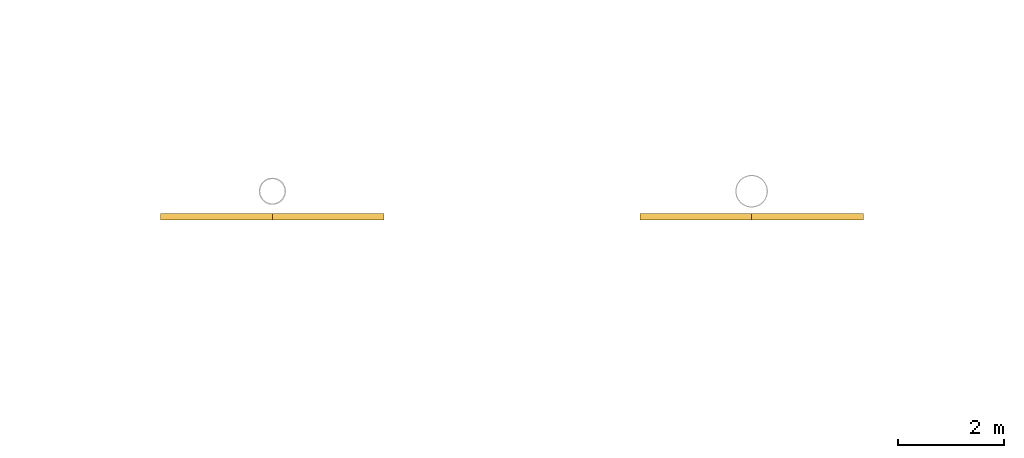
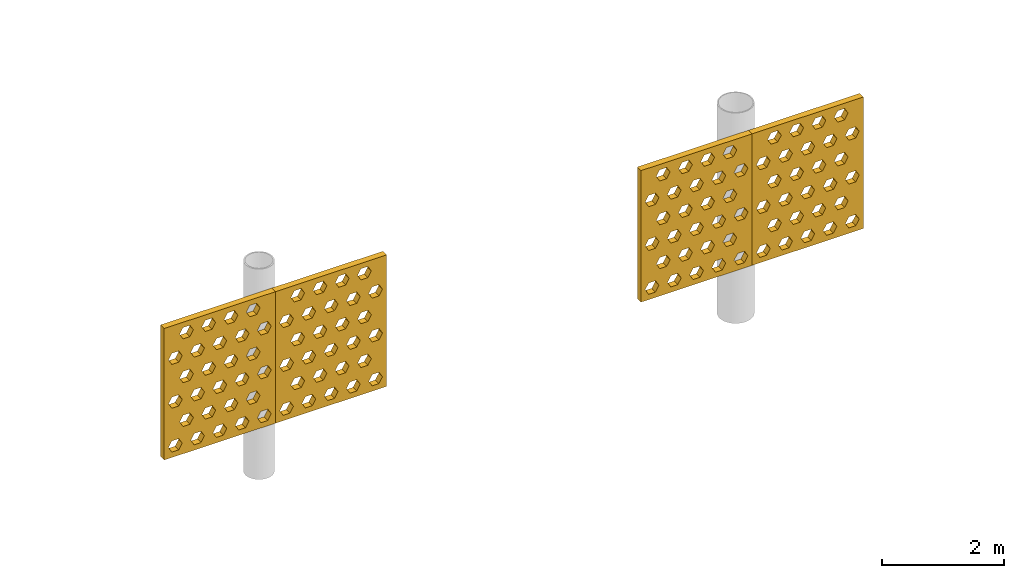
# One storey, part 106 of 123: 4 shading devices.
"""IFC4 building model written with IfcOpenShell, lengths in metres."""

from ifc_helpers import new_model, si_unit, direction, frame, origin, place, context, subcontext, project, spatial, polyline, outline, extrude, material, layer, layer_set, type_object, element, save


model = new_model("IFC4")

# Units and contexts
model_context = context("Model", 3, precision=1e-05, world=origin(), true_north=direction((0.0, 1.0)))
body_context = subcontext(model_context, "Body", "Model", "MODEL_VIEW")
ifc_project = project(units=[si_unit("LENGTHUNIT", "METRE"), si_unit("AREAUNIT", "SQUARE_METRE"), si_unit("VOLUMEUNIT", "CUBIC_METRE"), si_unit("PLANEANGLEUNIT", "RADIAN"), si_unit("MASSUNIT", "GRAM", prefix="KILO")], contexts=[model_context])

# Site, building, storey
site_placement = place(None, origin())
site = spatial("IfcSite", under=ifc_project, at=site_placement, CompositionType="ELEMENT")
building_placement = place(site_placement, origin())
building = spatial("IfcBuilding", under=site, at=building_placement, Name="Baradari Gate Terminus", CompositionType="ELEMENT")
storey_placement = place(building_placement, frame((0.0, 0.0, 7.5)))
storey = spatial("IfcBuildingStorey", under=building, at=storey_placement, Name="L01", CompositionType="ELEMENT", Elevation=7.5)

# Shading devices
ifc_material = material(Name="Concrete C50/60 precast", Category="concrete")
ifc_layer = layer(ifc_material, 0.1201171875)
ifc_layer_set = layer_set([ifc_layer], Name="Concrete C50/60 precast")
shading_device_type = type_object("IfcShadingDeviceType", Name="Jali screen panel JS-2 120", PredefinedType="SHUTTER", material=ifc_layer_set)
shading_device_1_placement = place(storey_placement, frame((168.89990234375, 35.52001953125, 1.27490234375), z_axis=(0.0, 0.0, 1.0), x_axis=(1.0, 0.0, 0.0)))
element("IfcShadingDevice", 1, at=shading_device_1_placement, inside=storey, type_object=shading_device_type, Name="Jali screen panel JS-2 SC01c row 4 panel 1", PredefinedType="SHUTTER", context=body_context, shape_type="SweptSolid", body=[
    extrude(outline(polyline([(0.0, 0.0), (2.10009765625, 0.0), (2.10009765625, 2.625), (0.0, 2.625), (0.0, 0.0)]), holes=[polyline([(0.340087890625, 0.21875), (0.27490234375, 0.106201171875), (0.14501953125, 0.106201171875), (0.080078125, 0.21875), (0.14501953125, 0.33154296875), (0.27490234375, 0.33154296875), (0.340087890625, 0.21875)]), polyline([(0.760009765625, 0.21875), (0.695068359375, 0.106201171875), (0.56494140625, 0.106201171875), (0.5, 0.21875), (0.56494140625, 0.33154296875), (0.695068359375, 0.33154296875), (0.760009765625, 0.21875)]), polyline([(1.179931640625, 0.21875), (1.114990234375, 0.106201171875), (0.985107421875, 0.106201171875), (0.919921875, 0.21875), (0.985107421875, 0.33154296875), (1.114990234375, 0.33154296875), (1.179931640625, 0.21875)]), polyline([(1.60009765625, 0.21875), (1.534912109375, 0.106201171875), (1.405029296875, 0.106201171875), (1.340087890625, 0.21875), (1.405029296875, 0.33154296875), (1.534912109375, 0.33154296875), (1.60009765625, 0.21875)]), polyline([(2.02001953125, 0.21875), (1.955078125, 0.106201171875), (1.824951171875, 0.106201171875), (1.760009765625, 0.21875), (1.824951171875, 0.33154296875), (1.955078125, 0.33154296875), (2.02001953125, 0.21875)]), polyline([(0.550048828125, 0.65625), (0.485107421875, 0.543701171875), (0.35498046875, 0.543701171875), (0.2900390625, 0.65625), (0.35498046875, 0.76904296875), (0.485107421875, 0.76904296875), (0.550048828125, 0.65625)]), polyline([(0.969970703125, 0.65625), (0.905029296875, 0.543701171875), (0.77490234375, 0.543701171875), (0.7099609375, 0.65625), (0.77490234375, 0.76904296875), (0.905029296875, 0.76904296875), (0.969970703125, 0.65625)]), polyline([(1.389892578125, 0.65625), (1.324951171875, 0.543701171875), (1.195068359375, 0.543701171875), (1.1298828125, 0.65625), (1.195068359375, 0.76904296875), (1.324951171875, 0.76904296875), (1.389892578125, 0.65625)]), polyline([(1.81005859375, 0.65625), (1.7451171875, 0.543701171875), (1.614990234375, 0.543701171875), (1.550048828125, 0.65625), (1.614990234375, 0.76904296875), (1.7451171875, 0.76904296875), (1.81005859375, 0.65625)]), polyline([(0.340087890625, 1.09375), (0.27490234375, 0.981201171875), (0.14501953125, 0.981201171875), (0.080078125, 1.09375), (0.14501953125, 1.20654296875), (0.27490234375, 1.20654296875), (0.340087890625, 1.09375)]), polyline([(0.760009765625, 1.09375), (0.695068359375, 0.981201171875), (0.56494140625, 0.981201171875), (0.5, 1.09375), (0.56494140625, 1.20654296875), (0.695068359375, 1.20654296875), (0.760009765625, 1.09375)]), polyline([(1.179931640625, 1.09375), (1.114990234375, 0.981201171875), (0.985107421875, 0.981201171875), (0.919921875, 1.09375), (0.985107421875, 1.20654296875), (1.114990234375, 1.20654296875), (1.179931640625, 1.09375)]), polyline([(1.60009765625, 1.09375), (1.534912109375, 0.981201171875), (1.405029296875, 0.981201171875), (1.340087890625, 1.09375), (1.405029296875, 1.20654296875), (1.534912109375, 1.20654296875), (1.60009765625, 1.09375)]), polyline([(2.02001953125, 1.09375), (1.955078125, 0.981201171875), (1.824951171875, 0.981201171875), (1.760009765625, 1.09375), (1.824951171875, 1.20654296875), (1.955078125, 1.20654296875), (2.02001953125, 1.09375)]), polyline([(0.550048828125, 1.53125), (0.485107421875, 1.418701171875), (0.35498046875, 1.418701171875), (0.2900390625, 1.53125), (0.35498046875, 1.64404296875), (0.485107421875, 1.64404296875), (0.550048828125, 1.53125)]), polyline([(0.969970703125, 1.53125), (0.905029296875, 1.418701171875), (0.77490234375, 1.418701171875), (0.7099609375, 1.53125), (0.77490234375, 1.64404296875), (0.905029296875, 1.64404296875), (0.969970703125, 1.53125)]), polyline([(1.389892578125, 1.53125), (1.324951171875, 1.418701171875), (1.195068359375, 1.418701171875), (1.1298828125, 1.53125), (1.195068359375, 1.64404296875), (1.324951171875, 1.64404296875), (1.389892578125, 1.53125)]), polyline([(1.81005859375, 1.53125), (1.7451171875, 1.418701171875), (1.614990234375, 1.418701171875), (1.550048828125, 1.53125), (1.614990234375, 1.64404296875), (1.7451171875, 1.64404296875), (1.81005859375, 1.53125)]), polyline([(0.340087890625, 1.96875), (0.27490234375, 1.856201171875), (0.14501953125, 1.856201171875), (0.080078125, 1.96875), (0.14501953125, 2.08154296875), (0.27490234375, 2.08154296875), (0.340087890625, 1.96875)]), polyline([(0.760009765625, 1.96875), (0.695068359375, 1.856201171875), (0.56494140625, 1.856201171875), (0.5, 1.96875), (0.56494140625, 2.08154296875), (0.695068359375, 2.08154296875), (0.760009765625, 1.96875)]), polyline([(1.179931640625, 1.96875), (1.114990234375, 1.856201171875), (0.985107421875, 1.856201171875), (0.919921875, 1.96875), (0.985107421875, 2.08154296875), (1.114990234375, 2.08154296875), (1.179931640625, 1.96875)]), polyline([(1.60009765625, 1.96875), (1.534912109375, 1.856201171875), (1.405029296875, 1.856201171875), (1.340087890625, 1.96875), (1.405029296875, 2.08154296875), (1.534912109375, 2.08154296875), (1.60009765625, 1.96875)]), polyline([(2.02001953125, 1.96875), (1.955078125, 1.856201171875), (1.824951171875, 1.856201171875), (1.760009765625, 1.96875), (1.824951171875, 2.08154296875), (1.955078125, 2.08154296875), (2.02001953125, 1.96875)]), polyline([(0.550048828125, 2.40625), (0.485107421875, 2.293701171875), (0.35498046875, 2.293701171875), (0.2900390625, 2.40625), (0.35498046875, 2.51904296875), (0.485107421875, 2.51904296875), (0.550048828125, 2.40625)]), polyline([(0.969970703125, 2.40625), (0.905029296875, 2.293701171875), (0.77490234375, 2.293701171875), (0.7099609375, 2.40625), (0.77490234375, 2.51904296875), (0.905029296875, 2.51904296875), (0.969970703125, 2.40625)]), polyline([(1.389892578125, 2.40625), (1.324951171875, 2.293701171875), (1.195068359375, 2.293701171875), (1.1298828125, 2.40625), (1.195068359375, 2.51904296875), (1.324951171875, 2.51904296875), (1.389892578125, 2.40625)]), polyline([(1.81005859375, 2.40625), (1.7451171875, 2.293701171875), (1.614990234375, 2.293701171875), (1.550048828125, 2.40625), (1.614990234375, 2.51904296875), (1.7451171875, 2.51904296875), (1.81005859375, 2.40625)])]), frame((0.0, 0.06005859375, 0.0), z_axis=(0.0, -1.0, 0.0), x_axis=(1.0, 0.0, 0.0)), (0.0, 0.0, 1.0), 0.1201171875),
])
shading_device_2_placement = place(storey_placement, frame((171.0, 35.52001953125, 1.27490234375), z_axis=(0.0, 0.0, 1.0), x_axis=(1.0, 0.0, 0.0)))
element("IfcShadingDevice", 2, at=shading_device_2_placement, inside=storey, type_object=shading_device_type, Name="Jali screen panel JS-2 SC02a row 4 panel 1", PredefinedType="SHUTTER", context=body_context, shape_type="SweptSolid", body=[
    extrude(outline(polyline([(0.0, 0.0), (2.10009765625, 0.0), (2.10009765625, 2.625), (0.0, 2.625), (0.0, 0.0)]), holes=[polyline([(0.340087890625, 0.21875), (0.27490234375, 0.106201171875), (0.14501953125, 0.106201171875), (0.080078125, 0.21875), (0.14501953125, 0.33154296875), (0.27490234375, 0.33154296875), (0.340087890625, 0.21875)]), polyline([(0.760009765625, 0.21875), (0.695068359375, 0.106201171875), (0.56494140625, 0.106201171875), (0.5, 0.21875), (0.56494140625, 0.33154296875), (0.695068359375, 0.33154296875), (0.760009765625, 0.21875)]), polyline([(1.179931640625, 0.21875), (1.114990234375, 0.106201171875), (0.985107421875, 0.106201171875), (0.919921875, 0.21875), (0.985107421875, 0.33154296875), (1.114990234375, 0.33154296875), (1.179931640625, 0.21875)]), polyline([(1.60009765625, 0.21875), (1.534912109375, 0.106201171875), (1.405029296875, 0.106201171875), (1.340087890625, 0.21875), (1.405029296875, 0.33154296875), (1.534912109375, 0.33154296875), (1.60009765625, 0.21875)]), polyline([(2.02001953125, 0.21875), (1.955078125, 0.106201171875), (1.824951171875, 0.106201171875), (1.760009765625, 0.21875), (1.824951171875, 0.33154296875), (1.955078125, 0.33154296875), (2.02001953125, 0.21875)]), polyline([(0.550048828125, 0.65625), (0.485107421875, 0.543701171875), (0.35498046875, 0.543701171875), (0.2900390625, 0.65625), (0.35498046875, 0.76904296875), (0.485107421875, 0.76904296875), (0.550048828125, 0.65625)]), polyline([(0.969970703125, 0.65625), (0.905029296875, 0.543701171875), (0.77490234375, 0.543701171875), (0.7099609375, 0.65625), (0.77490234375, 0.76904296875), (0.905029296875, 0.76904296875), (0.969970703125, 0.65625)]), polyline([(1.389892578125, 0.65625), (1.324951171875, 0.543701171875), (1.195068359375, 0.543701171875), (1.1298828125, 0.65625), (1.195068359375, 0.76904296875), (1.324951171875, 0.76904296875), (1.389892578125, 0.65625)]), polyline([(1.81005859375, 0.65625), (1.7451171875, 0.543701171875), (1.614990234375, 0.543701171875), (1.550048828125, 0.65625), (1.614990234375, 0.76904296875), (1.7451171875, 0.76904296875), (1.81005859375, 0.65625)]), polyline([(0.340087890625, 1.09375), (0.27490234375, 0.981201171875), (0.14501953125, 0.981201171875), (0.080078125, 1.09375), (0.14501953125, 1.20654296875), (0.27490234375, 1.20654296875), (0.340087890625, 1.09375)]), polyline([(0.760009765625, 1.09375), (0.695068359375, 0.981201171875), (0.56494140625, 0.981201171875), (0.5, 1.09375), (0.56494140625, 1.20654296875), (0.695068359375, 1.20654296875), (0.760009765625, 1.09375)]), polyline([(1.179931640625, 1.09375), (1.114990234375, 0.981201171875), (0.985107421875, 0.981201171875), (0.919921875, 1.09375), (0.985107421875, 1.20654296875), (1.114990234375, 1.20654296875), (1.179931640625, 1.09375)]), polyline([(1.60009765625, 1.09375), (1.534912109375, 0.981201171875), (1.405029296875, 0.981201171875), (1.340087890625, 1.09375), (1.405029296875, 1.20654296875), (1.534912109375, 1.20654296875), (1.60009765625, 1.09375)]), polyline([(2.02001953125, 1.09375), (1.955078125, 0.981201171875), (1.824951171875, 0.981201171875), (1.760009765625, 1.09375), (1.824951171875, 1.20654296875), (1.955078125, 1.20654296875), (2.02001953125, 1.09375)]), polyline([(0.550048828125, 1.53125), (0.485107421875, 1.418701171875), (0.35498046875, 1.418701171875), (0.2900390625, 1.53125), (0.35498046875, 1.64404296875), (0.485107421875, 1.64404296875), (0.550048828125, 1.53125)]), polyline([(0.969970703125, 1.53125), (0.905029296875, 1.418701171875), (0.77490234375, 1.418701171875), (0.7099609375, 1.53125), (0.77490234375, 1.64404296875), (0.905029296875, 1.64404296875), (0.969970703125, 1.53125)]), polyline([(1.389892578125, 1.53125), (1.324951171875, 1.418701171875), (1.195068359375, 1.418701171875), (1.1298828125, 1.53125), (1.195068359375, 1.64404296875), (1.324951171875, 1.64404296875), (1.389892578125, 1.53125)]), polyline([(1.81005859375, 1.53125), (1.7451171875, 1.418701171875), (1.614990234375, 1.418701171875), (1.550048828125, 1.53125), (1.614990234375, 1.64404296875), (1.7451171875, 1.64404296875), (1.81005859375, 1.53125)]), polyline([(0.340087890625, 1.96875), (0.27490234375, 1.856201171875), (0.14501953125, 1.856201171875), (0.080078125, 1.96875), (0.14501953125, 2.08154296875), (0.27490234375, 2.08154296875), (0.340087890625, 1.96875)]), polyline([(0.760009765625, 1.96875), (0.695068359375, 1.856201171875), (0.56494140625, 1.856201171875), (0.5, 1.96875), (0.56494140625, 2.08154296875), (0.695068359375, 2.08154296875), (0.760009765625, 1.96875)]), polyline([(1.179931640625, 1.96875), (1.114990234375, 1.856201171875), (0.985107421875, 1.856201171875), (0.919921875, 1.96875), (0.985107421875, 2.08154296875), (1.114990234375, 2.08154296875), (1.179931640625, 1.96875)]), polyline([(1.60009765625, 1.96875), (1.534912109375, 1.856201171875), (1.405029296875, 1.856201171875), (1.340087890625, 1.96875), (1.405029296875, 2.08154296875), (1.534912109375, 2.08154296875), (1.60009765625, 1.96875)]), polyline([(2.02001953125, 1.96875), (1.955078125, 1.856201171875), (1.824951171875, 1.856201171875), (1.760009765625, 1.96875), (1.824951171875, 2.08154296875), (1.955078125, 2.08154296875), (2.02001953125, 1.96875)]), polyline([(0.550048828125, 2.40625), (0.485107421875, 2.293701171875), (0.35498046875, 2.293701171875), (0.2900390625, 2.40625), (0.35498046875, 2.51904296875), (0.485107421875, 2.51904296875), (0.550048828125, 2.40625)]), polyline([(0.969970703125, 2.40625), (0.905029296875, 2.293701171875), (0.77490234375, 2.293701171875), (0.7099609375, 2.40625), (0.77490234375, 2.51904296875), (0.905029296875, 2.51904296875), (0.969970703125, 2.40625)]), polyline([(1.389892578125, 2.40625), (1.324951171875, 2.293701171875), (1.195068359375, 2.293701171875), (1.1298828125, 2.40625), (1.195068359375, 2.51904296875), (1.324951171875, 2.51904296875), (1.389892578125, 2.40625)]), polyline([(1.81005859375, 2.40625), (1.7451171875, 2.293701171875), (1.614990234375, 2.293701171875), (1.550048828125, 2.40625), (1.614990234375, 2.51904296875), (1.7451171875, 2.51904296875), (1.81005859375, 2.40625)])]), frame((0.0, 0.06005859375, 0.0), z_axis=(0.0, -1.0, 0.0), x_axis=(1.0, 0.0, 0.0)), (0.0, 0.0, 1.0), 0.1201171875),
])
shading_device_3_placement = place(storey_placement, frame((177.89990234375, 35.52001953125, 1.27490234375), z_axis=(0.0, 0.0, 1.0), x_axis=(1.0, 0.0, 0.0)))
element("IfcShadingDevice", 3, at=shading_device_3_placement, inside=storey, type_object=shading_device_type, Name="Jali screen panel JS-2 SC02c row 4 panel 1", PredefinedType="SHUTTER", context=body_context, shape_type="SweptSolid", body=[
    extrude(outline(polyline([(0.0, 0.0), (2.10009765625, 0.0), (2.10009765625, 2.625), (0.0, 2.625), (0.0, 0.0)]), holes=[polyline([(0.340087890625, 0.21875), (0.27490234375, 0.106201171875), (0.14501953125, 0.106201171875), (0.080078125, 0.21875), (0.14501953125, 0.33154296875), (0.27490234375, 0.33154296875), (0.340087890625, 0.21875)]), polyline([(0.760009765625, 0.21875), (0.695068359375, 0.106201171875), (0.56494140625, 0.106201171875), (0.5, 0.21875), (0.56494140625, 0.33154296875), (0.695068359375, 0.33154296875), (0.760009765625, 0.21875)]), polyline([(1.179931640625, 0.21875), (1.114990234375, 0.106201171875), (0.985107421875, 0.106201171875), (0.919921875, 0.21875), (0.985107421875, 0.33154296875), (1.114990234375, 0.33154296875), (1.179931640625, 0.21875)]), polyline([(1.60009765625, 0.21875), (1.534912109375, 0.106201171875), (1.405029296875, 0.106201171875), (1.340087890625, 0.21875), (1.405029296875, 0.33154296875), (1.534912109375, 0.33154296875), (1.60009765625, 0.21875)]), polyline([(2.02001953125, 0.21875), (1.955078125, 0.106201171875), (1.824951171875, 0.106201171875), (1.760009765625, 0.21875), (1.824951171875, 0.33154296875), (1.955078125, 0.33154296875), (2.02001953125, 0.21875)]), polyline([(0.550048828125, 0.65625), (0.485107421875, 0.543701171875), (0.35498046875, 0.543701171875), (0.2900390625, 0.65625), (0.35498046875, 0.76904296875), (0.485107421875, 0.76904296875), (0.550048828125, 0.65625)]), polyline([(0.969970703125, 0.65625), (0.905029296875, 0.543701171875), (0.77490234375, 0.543701171875), (0.7099609375, 0.65625), (0.77490234375, 0.76904296875), (0.905029296875, 0.76904296875), (0.969970703125, 0.65625)]), polyline([(1.389892578125, 0.65625), (1.324951171875, 0.543701171875), (1.195068359375, 0.543701171875), (1.1298828125, 0.65625), (1.195068359375, 0.76904296875), (1.324951171875, 0.76904296875), (1.389892578125, 0.65625)]), polyline([(1.81005859375, 0.65625), (1.7451171875, 0.543701171875), (1.614990234375, 0.543701171875), (1.550048828125, 0.65625), (1.614990234375, 0.76904296875), (1.7451171875, 0.76904296875), (1.81005859375, 0.65625)]), polyline([(0.340087890625, 1.09375), (0.27490234375, 0.981201171875), (0.14501953125, 0.981201171875), (0.080078125, 1.09375), (0.14501953125, 1.20654296875), (0.27490234375, 1.20654296875), (0.340087890625, 1.09375)]), polyline([(0.760009765625, 1.09375), (0.695068359375, 0.981201171875), (0.56494140625, 0.981201171875), (0.5, 1.09375), (0.56494140625, 1.20654296875), (0.695068359375, 1.20654296875), (0.760009765625, 1.09375)]), polyline([(1.179931640625, 1.09375), (1.114990234375, 0.981201171875), (0.985107421875, 0.981201171875), (0.919921875, 1.09375), (0.985107421875, 1.20654296875), (1.114990234375, 1.20654296875), (1.179931640625, 1.09375)]), polyline([(1.60009765625, 1.09375), (1.534912109375, 0.981201171875), (1.405029296875, 0.981201171875), (1.340087890625, 1.09375), (1.405029296875, 1.20654296875), (1.534912109375, 1.20654296875), (1.60009765625, 1.09375)]), polyline([(2.02001953125, 1.09375), (1.955078125, 0.981201171875), (1.824951171875, 0.981201171875), (1.760009765625, 1.09375), (1.824951171875, 1.20654296875), (1.955078125, 1.20654296875), (2.02001953125, 1.09375)]), polyline([(0.550048828125, 1.53125), (0.485107421875, 1.418701171875), (0.35498046875, 1.418701171875), (0.2900390625, 1.53125), (0.35498046875, 1.64404296875), (0.485107421875, 1.64404296875), (0.550048828125, 1.53125)]), polyline([(0.969970703125, 1.53125), (0.905029296875, 1.418701171875), (0.77490234375, 1.418701171875), (0.7099609375, 1.53125), (0.77490234375, 1.64404296875), (0.905029296875, 1.64404296875), (0.969970703125, 1.53125)]), polyline([(1.389892578125, 1.53125), (1.324951171875, 1.418701171875), (1.195068359375, 1.418701171875), (1.1298828125, 1.53125), (1.195068359375, 1.64404296875), (1.324951171875, 1.64404296875), (1.389892578125, 1.53125)]), polyline([(1.81005859375, 1.53125), (1.7451171875, 1.418701171875), (1.614990234375, 1.418701171875), (1.550048828125, 1.53125), (1.614990234375, 1.64404296875), (1.7451171875, 1.64404296875), (1.81005859375, 1.53125)]), polyline([(0.340087890625, 1.96875), (0.27490234375, 1.856201171875), (0.14501953125, 1.856201171875), (0.080078125, 1.96875), (0.14501953125, 2.08154296875), (0.27490234375, 2.08154296875), (0.340087890625, 1.96875)]), polyline([(0.760009765625, 1.96875), (0.695068359375, 1.856201171875), (0.56494140625, 1.856201171875), (0.5, 1.96875), (0.56494140625, 2.08154296875), (0.695068359375, 2.08154296875), (0.760009765625, 1.96875)]), polyline([(1.179931640625, 1.96875), (1.114990234375, 1.856201171875), (0.985107421875, 1.856201171875), (0.919921875, 1.96875), (0.985107421875, 2.08154296875), (1.114990234375, 2.08154296875), (1.179931640625, 1.96875)]), polyline([(1.60009765625, 1.96875), (1.534912109375, 1.856201171875), (1.405029296875, 1.856201171875), (1.340087890625, 1.96875), (1.405029296875, 2.08154296875), (1.534912109375, 2.08154296875), (1.60009765625, 1.96875)]), polyline([(2.02001953125, 1.96875), (1.955078125, 1.856201171875), (1.824951171875, 1.856201171875), (1.760009765625, 1.96875), (1.824951171875, 2.08154296875), (1.955078125, 2.08154296875), (2.02001953125, 1.96875)]), polyline([(0.550048828125, 2.40625), (0.485107421875, 2.293701171875), (0.35498046875, 2.293701171875), (0.2900390625, 2.40625), (0.35498046875, 2.51904296875), (0.485107421875, 2.51904296875), (0.550048828125, 2.40625)]), polyline([(0.969970703125, 2.40625), (0.905029296875, 2.293701171875), (0.77490234375, 2.293701171875), (0.7099609375, 2.40625), (0.77490234375, 2.51904296875), (0.905029296875, 2.51904296875), (0.969970703125, 2.40625)]), polyline([(1.389892578125, 2.40625), (1.324951171875, 2.293701171875), (1.195068359375, 2.293701171875), (1.1298828125, 2.40625), (1.195068359375, 2.51904296875), (1.324951171875, 2.51904296875), (1.389892578125, 2.40625)]), polyline([(1.81005859375, 2.40625), (1.7451171875, 2.293701171875), (1.614990234375, 2.293701171875), (1.550048828125, 2.40625), (1.614990234375, 2.51904296875), (1.7451171875, 2.51904296875), (1.81005859375, 2.40625)])]), frame((0.0, 0.06005859375, 0.0), z_axis=(0.0, -1.0, 0.0), x_axis=(1.0, 0.0, 0.0)), (0.0, 0.0, 1.0), 0.1201171875),
])
shading_device_4_placement = place(storey_placement, frame((180.0, 35.52001953125, 1.27490234375), z_axis=(0.0, 0.0, 1.0), x_axis=(1.0, 0.0, 0.0)))
element("IfcShadingDevice", 4, at=shading_device_4_placement, inside=storey, type_object=shading_device_type, Name="Jali screen panel JS-2 SC03a row 4 panel 1", PredefinedType="SHUTTER", context=body_context, shape_type="SweptSolid", body=[
    extrude(outline(polyline([(0.0, 0.0), (2.10009765625, 0.0), (2.10009765625, 2.625), (0.0, 2.625), (0.0, 0.0)]), holes=[polyline([(0.340087890625, 0.21875), (0.27490234375, 0.106201171875), (0.14501953125, 0.106201171875), (0.080078125, 0.21875), (0.14501953125, 0.33154296875), (0.27490234375, 0.33154296875), (0.340087890625, 0.21875)]), polyline([(0.760009765625, 0.21875), (0.695068359375, 0.106201171875), (0.56494140625, 0.106201171875), (0.5, 0.21875), (0.56494140625, 0.33154296875), (0.695068359375, 0.33154296875), (0.760009765625, 0.21875)]), polyline([(1.179931640625, 0.21875), (1.114990234375, 0.106201171875), (0.985107421875, 0.106201171875), (0.919921875, 0.21875), (0.985107421875, 0.33154296875), (1.114990234375, 0.33154296875), (1.179931640625, 0.21875)]), polyline([(1.60009765625, 0.21875), (1.534912109375, 0.106201171875), (1.405029296875, 0.106201171875), (1.340087890625, 0.21875), (1.405029296875, 0.33154296875), (1.534912109375, 0.33154296875), (1.60009765625, 0.21875)]), polyline([(2.02001953125, 0.21875), (1.955078125, 0.106201171875), (1.824951171875, 0.106201171875), (1.760009765625, 0.21875), (1.824951171875, 0.33154296875), (1.955078125, 0.33154296875), (2.02001953125, 0.21875)]), polyline([(0.550048828125, 0.65625), (0.485107421875, 0.543701171875), (0.35498046875, 0.543701171875), (0.2900390625, 0.65625), (0.35498046875, 0.76904296875), (0.485107421875, 0.76904296875), (0.550048828125, 0.65625)]), polyline([(0.969970703125, 0.65625), (0.905029296875, 0.543701171875), (0.77490234375, 0.543701171875), (0.7099609375, 0.65625), (0.77490234375, 0.76904296875), (0.905029296875, 0.76904296875), (0.969970703125, 0.65625)]), polyline([(1.389892578125, 0.65625), (1.324951171875, 0.543701171875), (1.195068359375, 0.543701171875), (1.1298828125, 0.65625), (1.195068359375, 0.76904296875), (1.324951171875, 0.76904296875), (1.389892578125, 0.65625)]), polyline([(1.81005859375, 0.65625), (1.7451171875, 0.543701171875), (1.614990234375, 0.543701171875), (1.550048828125, 0.65625), (1.614990234375, 0.76904296875), (1.7451171875, 0.76904296875), (1.81005859375, 0.65625)]), polyline([(0.340087890625, 1.09375), (0.27490234375, 0.981201171875), (0.14501953125, 0.981201171875), (0.080078125, 1.09375), (0.14501953125, 1.20654296875), (0.27490234375, 1.20654296875), (0.340087890625, 1.09375)]), polyline([(0.760009765625, 1.09375), (0.695068359375, 0.981201171875), (0.56494140625, 0.981201171875), (0.5, 1.09375), (0.56494140625, 1.20654296875), (0.695068359375, 1.20654296875), (0.760009765625, 1.09375)]), polyline([(1.179931640625, 1.09375), (1.114990234375, 0.981201171875), (0.985107421875, 0.981201171875), (0.919921875, 1.09375), (0.985107421875, 1.20654296875), (1.114990234375, 1.20654296875), (1.179931640625, 1.09375)]), polyline([(1.60009765625, 1.09375), (1.534912109375, 0.981201171875), (1.405029296875, 0.981201171875), (1.340087890625, 1.09375), (1.405029296875, 1.20654296875), (1.534912109375, 1.20654296875), (1.60009765625, 1.09375)]), polyline([(2.02001953125, 1.09375), (1.955078125, 0.981201171875), (1.824951171875, 0.981201171875), (1.760009765625, 1.09375), (1.824951171875, 1.20654296875), (1.955078125, 1.20654296875), (2.02001953125, 1.09375)]), polyline([(0.550048828125, 1.53125), (0.485107421875, 1.418701171875), (0.35498046875, 1.418701171875), (0.2900390625, 1.53125), (0.35498046875, 1.64404296875), (0.485107421875, 1.64404296875), (0.550048828125, 1.53125)]), polyline([(0.969970703125, 1.53125), (0.905029296875, 1.418701171875), (0.77490234375, 1.418701171875), (0.7099609375, 1.53125), (0.77490234375, 1.64404296875), (0.905029296875, 1.64404296875), (0.969970703125, 1.53125)]), polyline([(1.389892578125, 1.53125), (1.324951171875, 1.418701171875), (1.195068359375, 1.418701171875), (1.1298828125, 1.53125), (1.195068359375, 1.64404296875), (1.324951171875, 1.64404296875), (1.389892578125, 1.53125)]), polyline([(1.81005859375, 1.53125), (1.7451171875, 1.418701171875), (1.614990234375, 1.418701171875), (1.550048828125, 1.53125), (1.614990234375, 1.64404296875), (1.7451171875, 1.64404296875), (1.81005859375, 1.53125)]), polyline([(0.340087890625, 1.96875), (0.27490234375, 1.856201171875), (0.14501953125, 1.856201171875), (0.080078125, 1.96875), (0.14501953125, 2.08154296875), (0.27490234375, 2.08154296875), (0.340087890625, 1.96875)]), polyline([(0.760009765625, 1.96875), (0.695068359375, 1.856201171875), (0.56494140625, 1.856201171875), (0.5, 1.96875), (0.56494140625, 2.08154296875), (0.695068359375, 2.08154296875), (0.760009765625, 1.96875)]), polyline([(1.179931640625, 1.96875), (1.114990234375, 1.856201171875), (0.985107421875, 1.856201171875), (0.919921875, 1.96875), (0.985107421875, 2.08154296875), (1.114990234375, 2.08154296875), (1.179931640625, 1.96875)]), polyline([(1.60009765625, 1.96875), (1.534912109375, 1.856201171875), (1.405029296875, 1.856201171875), (1.340087890625, 1.96875), (1.405029296875, 2.08154296875), (1.534912109375, 2.08154296875), (1.60009765625, 1.96875)]), polyline([(2.02001953125, 1.96875), (1.955078125, 1.856201171875), (1.824951171875, 1.856201171875), (1.760009765625, 1.96875), (1.824951171875, 2.08154296875), (1.955078125, 2.08154296875), (2.02001953125, 1.96875)]), polyline([(0.550048828125, 2.40625), (0.485107421875, 2.293701171875), (0.35498046875, 2.293701171875), (0.2900390625, 2.40625), (0.35498046875, 2.51904296875), (0.485107421875, 2.51904296875), (0.550048828125, 2.40625)]), polyline([(0.969970703125, 2.40625), (0.905029296875, 2.293701171875), (0.77490234375, 2.293701171875), (0.7099609375, 2.40625), (0.77490234375, 2.51904296875), (0.905029296875, 2.51904296875), (0.969970703125, 2.40625)]), polyline([(1.389892578125, 2.40625), (1.324951171875, 2.293701171875), (1.195068359375, 2.293701171875), (1.1298828125, 2.40625), (1.195068359375, 2.51904296875), (1.324951171875, 2.51904296875), (1.389892578125, 2.40625)]), polyline([(1.81005859375, 2.40625), (1.7451171875, 2.293701171875), (1.614990234375, 2.293701171875), (1.550048828125, 2.40625), (1.614990234375, 2.51904296875), (1.7451171875, 2.51904296875), (1.81005859375, 2.40625)])]), frame((0.0, 0.06005859375, 0.0), z_axis=(0.0, -1.0, 0.0), x_axis=(1.0, 0.0, 0.0)), (0.0, 0.0, 1.0), 0.1201171875),
])

save(model, "model.ifc")
